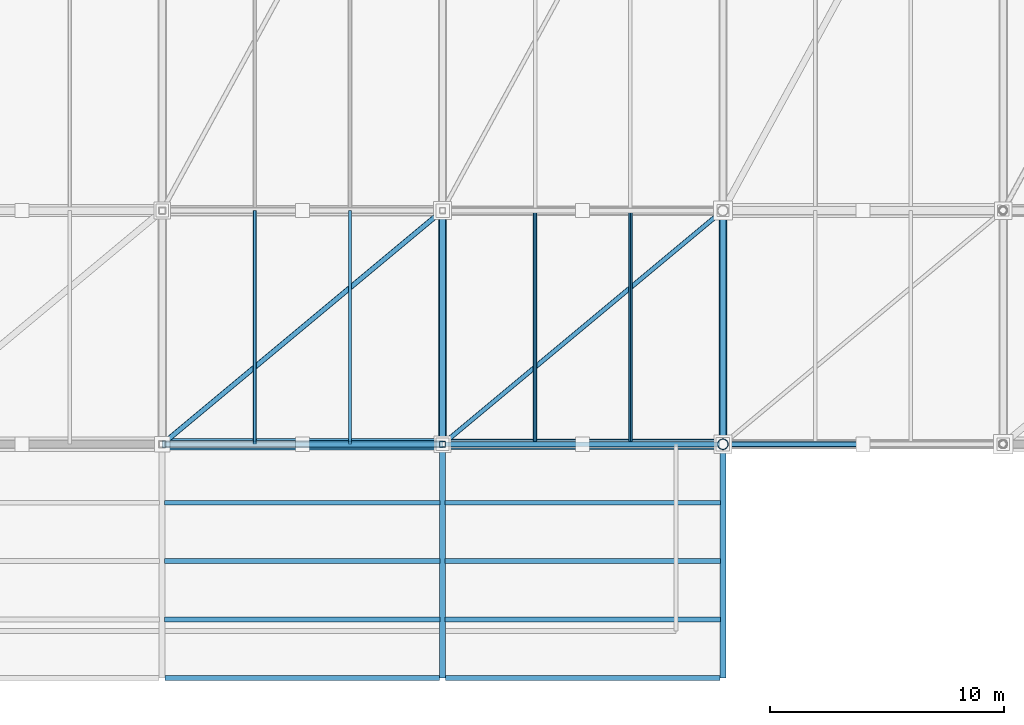
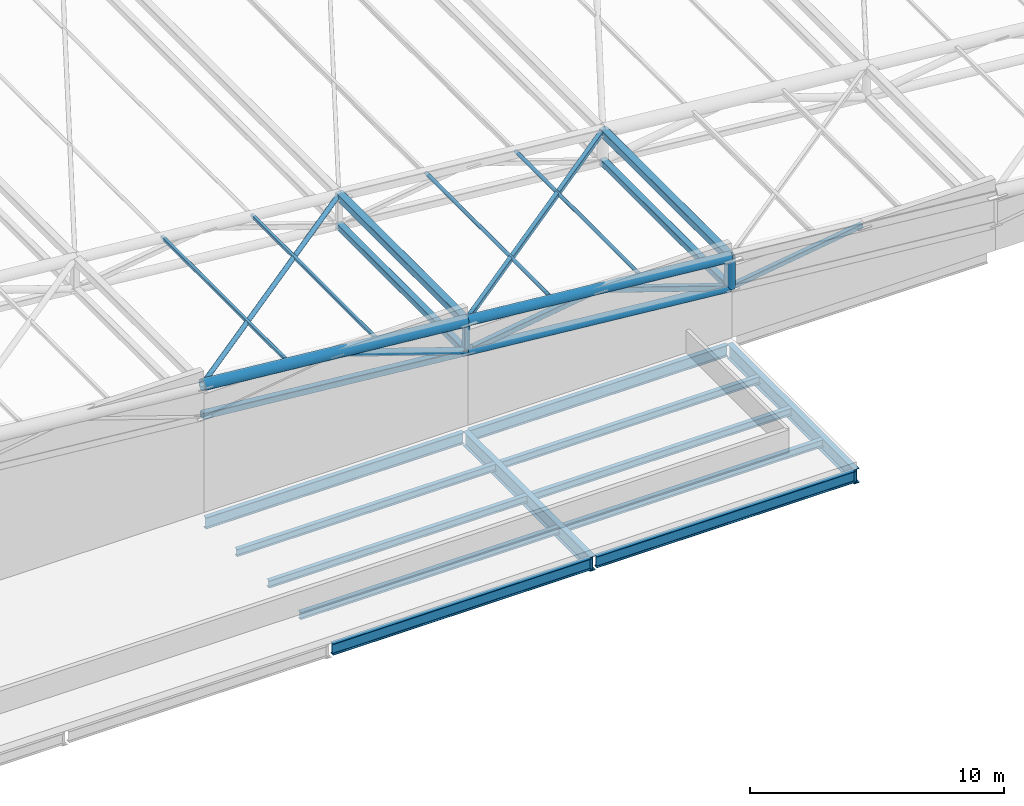
# One storey, part 17 of 44: 20 members, 12 beams.
"""IFC4 building model written with IfcOpenShell, lengths in metres."""

from ifc_helpers import new_model, si_unit, direction, frame, origin, origin_2d, place, context, subcontext, project, spatial, hollow_rectangle, hollow_circle, i_section, extrude, material, material_profile, profile_set, type_object, element, save


model = new_model("IFC4")

# Units and contexts
model_context = context("Model", 3, precision=1e-05, world=origin(), true_north=direction((0.0, 1.0)))
body_context = subcontext(model_context, "Body", "Model", "MODEL_VIEW")
ifc_project = project(units=[si_unit("LENGTHUNIT", "METRE"), si_unit("AREAUNIT", "SQUARE_METRE"), si_unit("VOLUMEUNIT", "CUBIC_METRE"), si_unit("PLANEANGLEUNIT", "RADIAN"), si_unit("MASSUNIT", "GRAM", prefix="KILO")], contexts=[model_context])

# Site, building, storey
site_placement = place(None, origin())
site = spatial("IfcSite", under=ifc_project, at=site_placement, CompositionType="ELEMENT")
building_placement = place(site_placement, origin())
building = spatial("IfcBuilding", under=site, at=building_placement, Name="Brinegate Civic Arena", CompositionType="ELEMENT")
storey_placement = place(building_placement, frame((0.0, 0.0, 29.39990234375)))
storey = spatial("IfcBuildingStorey", under=building, at=storey_placement, Name="RF", CompositionType="ELEMENT", Elevation=29.39990234375)

# Beams
ifc_material = material(Name="Steel S355", Category="steel")
ifc_material_profile_1 = material_profile(ifc_material, i_section(OverallWidth=0.256103515625, OverallDepth=0.693115234375, WebThickness=0.014892578125, FlangeThickness=0.02392578125, FilletRadius=0.01806640625, at=origin_2d()), Name="W690X170")
ifc_profile_set_1 = profile_set([ifc_material_profile_1], Name="Steel S355")
beam_type_1 = type_object("IfcBeamType", Name="GIRDER-W690X170", PredefinedType="BEAM", material=ifc_profile_set_1)
for number, where, z_axis, x_axis, name in (
    (1, (120.0, 0.0, -0.685791015625), (0.0, 1.0, 0.0), (-1.0, 0.0, 0.0), "Portal Roof Girder PGY-23"),
    (2, (132.0, 0.0, -0.685791015625), (0.0, 1.0, 0.0), (-1.0, 0.0, 0.0), "Portal Roof Girder PGY-24"),
):
    element("IfcBeam", number, at=place(storey_placement, frame(where, z_axis=z_axis, x_axis=x_axis)), inside=storey, type_object=beam_type_1, Name=name, PredefinedType="BEAM", context=body_context, shape_type="SweptSolid", body=[
        extrude(i_section(OverallWidth=0.256103515625, OverallDepth=0.693115234375, WebThickness=0.014892578125, FlangeThickness=0.02392578125, FilletRadius=0.01806640625, at=origin_2d()), origin(), (0.0, 0.0, 1.0), 10.0),
    ])
ifc_material_profile_2 = material_profile(ifc_material, i_section(OverallWidth=0.202880859375, OverallDepth=0.346923828125, WebThickness=0.008056640625, FlangeThickness=0.013916015625, FilletRadius=0.013916015625, at=origin_2d()), Name="W360X64")
ifc_profile_set_2 = profile_set([ifc_material_profile_2], Name="Steel S355")
beam_type_2 = type_object("IfcBeamType", Name="JOIST-W360X64", PredefinedType="JOIST", material=ifc_profile_set_2)
for number, where, z_axis, x_axis, name in (
    (3, (108.10791015625, 2.5, -0.512939453125), (1.0, 0.0, 0.0), (0.0, 1.0, 0.0), "Portal Roof Joist PJX-37"),
    (4, (108.10791015625, 5.0, -0.512939453125), (1.0, 0.0, 0.0), (0.0, 1.0, 0.0), "Portal Roof Joist PJX-38"),
    (5, (108.10791015625, 7.5, -0.512939453125), (1.0, 0.0, 0.0), (0.0, 1.0, 0.0), "Portal Roof Joist PJX-39"),
    (6, (120.10791015625, 2.5, -0.512939453125), (1.0, 0.0, 0.0), (0.0, 1.0, 0.0), "Portal Roof Joist PJX-42"),
    (7, (120.10791015625, 5.0, -0.512939453125), (1.0, 0.0, 0.0), (0.0, 1.0, 0.0), "Portal Roof Joist PJX-43"),
    (8, (120.10791015625, 7.5, -0.512939453125), (1.0, 0.0, 0.0), (0.0, 1.0, 0.0), "Portal Roof Joist PJX-44"),
):
    element("IfcBeam", number, at=place(storey_placement, frame(where, z_axis=z_axis, x_axis=x_axis)), inside=storey, type_object=beam_type_2, Name=name, PredefinedType="JOIST", context=body_context, shape_type="SweptSolid", body=[
        extrude(i_section(OverallWidth=0.202880859375, OverallDepth=0.346923828125, WebThickness=0.008056640625, FlangeThickness=0.013916015625, FilletRadius=0.013916015625, at=origin_2d()), origin(), (0.0, 0.0, 1.0), 11.7841796875),
    ])

# Members
ifc_material_profile_3 = material_profile(ifc_material, hollow_circle(Radius=0.083984375, WallThickness=0.008056640625, at=origin_2d()), Name="CHS168X8")
ifc_profile_set_3 = profile_set([ifc_material_profile_3], Name="Steel S355")
member_type_1 = type_object("IfcMemberType", Name="RF-PURLIN-CHS168", PredefinedType="PURLIN", material=ifc_profile_set_3)
for number, where, z_axis, x_axis, name in (
    (9, (123.9599609375, 10.0, 4.585205078125), (0.0, 1.0, 0.0), (-1.0, 0.0, 0.0), "Roof Purlin RFP-013"),
    (10, (128.0400390625, 10.0, 4.2021484375), (0.0, 1.0, 0.0), (-1.0, 0.0, 0.0), "Roof Purlin RFP-014"),
):
    element("IfcMember", number, at=place(storey_placement, frame(where, z_axis=z_axis, x_axis=x_axis)), inside=storey, type_object=member_type_1, Name=name, PredefinedType="PURLIN", context=body_context, shape_type="SweptSolid", body=[
        extrude(hollow_circle(Radius=0.083984375, WallThickness=0.008056640625, at=origin_2d()), origin(), (0.0, 0.0, 1.0), 10.0),
    ])
ifc_material_profile_4 = material_profile(ifc_material, hollow_rectangle(XDim=0.139892578125, YDim=0.139892578125, WallThickness=0.008056640625, InnerFilletRadius=0.008056640625, OuterFilletRadius=0.01611328125, at=origin_2d()), Name="SHS140X8")
ifc_profile_set_4 = profile_set([ifc_material_profile_4], Name="Steel S355")
member_type_2 = type_object("IfcMemberType", Name="RF-PURLIN-SHS140", PredefinedType="PURLIN", material=ifc_profile_set_4)
for number, where, z_axis, x_axis, name in (
    (11, (111.9599609375, 10.0, 5.72412109375), (0.0, 1.0, 0.0), (-1.0, 0.0, 0.0), "Roof Purlin RFP-011"),
    (12, (116.0400390625, 10.0, 5.341064453125), (0.0, 1.0, 0.0), (-1.0, 0.0, 0.0), "Roof Purlin RFP-012"),
):
    element("IfcMember", number, at=place(storey_placement, frame(where, z_axis=z_axis, x_axis=x_axis)), inside=storey, type_object=member_type_2, Name=name, PredefinedType="PURLIN", context=body_context, shape_type="SweptSolid", body=[
        extrude(hollow_rectangle(XDim=0.139892578125, YDim=0.139892578125, WallThickness=0.008056640625, InnerFilletRadius=0.008056640625, OuterFilletRadius=0.01611328125, at=origin_2d()), origin(), (0.0, 0.0, 1.0), 10.0),
    ])
ifc_material_profile_5 = material_profile(ifc_material, hollow_circle(Radius=0.109619140625, WallThickness=0.010009765625, at=origin_2d()), Name="CHS219X10")
ifc_profile_set_5 = profile_set([ifc_material_profile_5], Name="Steel S355")
member_type_3 = type_object("IfcMemberType", Name="SF-BRACE-CHS219", PredefinedType="BRACE", material=ifc_profile_set_5)
member_1_placement = place(storey_placement, frame((108.0, 10.0, 6.050048828125), z_axis=(0.766236619907, 0.638530516589, -0.071834683116), x_axis=(-0.640184399664, 0.768221279597, 0.0)))
element("IfcMember", 13, at=member_1_placement, inside=storey, type_object=member_type_3, Name="Roof Plan Diagonal Brace PL-1-6", PredefinedType="BRACE", context=body_context, shape_type="SweptSolid", body=[
    extrude(hollow_circle(Radius=0.109619140625, WallThickness=0.010009765625, at=origin_2d()), origin(), (0.0, 0.0, 1.0), 15.660888671875),
])
ifc_material_profile_6 = material_profile(ifc_material, hollow_circle(Radius=0.162109375, WallThickness=0.011962890625, at=origin_2d()), Name="CHS324X12")
ifc_profile_set_6 = profile_set([ifc_material_profile_6], Name="Steel S355")
member_type_4 = type_object("IfcMemberType", Name="SF-BRACE-CHS324", PredefinedType="BRACE", material=ifc_profile_set_6)
member_2_placement = place(storey_placement, frame((114.0, 10.0, 5.488037109375), z_axis=(0.948068139281, 0.0, -0.318067293635), x_axis=(0.0, 1.0, 0.0)))
element("IfcMember", 14, at=member_2_placement, inside=storey, type_object=member_type_4, Name="Space Frame Web Brace D2-1-6", PredefinedType="BRACE", context=body_context, shape_type="SweptSolid", body=[
    extrude(hollow_circle(Radius=0.162109375, WallThickness=0.011962890625, at=origin_2d()), origin(), (0.0, 0.0, 1.0), 6.32861328125),
])
ifc_material_profile_7 = material_profile(ifc_material, hollow_rectangle(XDim=0.199951171875, YDim=0.199951171875, WallThickness=0.010009765625, InnerFilletRadius=0.010009765625, OuterFilletRadius=0.02001953125, at=origin_2d()), Name="SHS200X10")
ifc_profile_set_7 = profile_set([ifc_material_profile_7], Name="Steel S355")
member_type_5 = type_object("IfcMemberType", Name="SF-BRACE-SHS200", PredefinedType="BRACE", material=ifc_profile_set_7)
member_3_placement = place(storey_placement, frame((120.0, 10.0, 4.925048828125), z_axis=(0.766236619907, 0.638530516589, -0.071834683116), x_axis=(-0.640184399664, 0.768221279597, 0.0)))
element("IfcMember", 15, at=member_3_placement, inside=storey, type_object=member_type_5, Name="Roof Plan Diagonal Brace PL-1-7", PredefinedType="BRACE", context=body_context, shape_type="SweptSolid", body=[
    extrude(hollow_rectangle(XDim=0.199951171875, YDim=0.199951171875, WallThickness=0.010009765625, InnerFilletRadius=0.010009765625, OuterFilletRadius=0.02001953125, at=origin_2d()), origin(), (0.0, 0.0, 1.0), 15.660888671875),
])
ifc_material_profile_8 = material_profile(ifc_material, hollow_rectangle(XDim=0.219970703125, YDim=0.219970703125, WallThickness=0.011962890625, InnerFilletRadius=0.011962890625, OuterFilletRadius=0.02392578125, at=origin_2d()), Name="SHS220X12")
ifc_profile_set_8 = profile_set([ifc_material_profile_8], Name="Steel S355")
member_type_6 = type_object("IfcMemberType", Name="SF-BRACE-SHS220", PredefinedType="BRACE", material=ifc_profile_set_8)
member_4_placement = place(storey_placement, frame((132.0, 10.0, 2.35009765625), z_axis=(0.989226142737, 0.0, 0.1463954867), x_axis=(0.0, 1.0, 0.0)))
element("IfcMember", 16, at=member_4_placement, inside=storey, type_object=member_type_6, Name="Space Frame Web Brace D1-1-8", PredefinedType="BRACE", context=body_context, shape_type="SweptSolid", body=[
    extrude(hollow_rectangle(XDim=0.219970703125, YDim=0.219970703125, WallThickness=0.011962890625, InnerFilletRadius=0.011962890625, OuterFilletRadius=0.02392578125, at=origin_2d()), origin(), (0.0, 0.0, 1.0), 6.0654296875),
])
ifc_material_profile_9 = material_profile(ifc_material, hollow_rectangle(XDim=0.25, YDim=0.25, WallThickness=0.011962890625, InnerFilletRadius=0.011962890625, OuterFilletRadius=0.02392578125, at=origin_2d()), Name="SHS250X12")
ifc_profile_set_9 = profile_set([ifc_material_profile_9], Name="Steel S355")
member_type_7 = type_object("IfcMemberType", Name="SF-BRACE-SHS250", PredefinedType="BRACE", material=ifc_profile_set_9)
member_5_placement = place(storey_placement, frame((120.0, 10.0, 3.47509765625), z_axis=(0.989226142737, 0.0, 0.1463954867), x_axis=(0.0, 1.0, 0.0)))
element("IfcMember", 17, at=member_5_placement, inside=storey, type_object=member_type_7, Name="Space Frame Web Brace D1-1-7", PredefinedType="BRACE", context=body_context, shape_type="SweptSolid", body=[
    extrude(hollow_rectangle(XDim=0.25, YDim=0.25, WallThickness=0.011962890625, InnerFilletRadius=0.011962890625, OuterFilletRadius=0.02392578125, at=origin_2d()), origin(), (0.0, 0.0, 1.0), 6.0654296875),
])
member_6_placement = place(storey_placement, frame((126.0, 10.0, 4.363037109375), z_axis=(0.948068139281, 0.0, -0.318067293635), x_axis=(0.0, 1.0, 0.0)))
element("IfcMember", 18, at=member_6_placement, inside=storey, type_object=member_type_7, Name="Space Frame Web Brace D2-1-7", PredefinedType="BRACE", context=body_context, shape_type="SweptSolid", body=[
    extrude(hollow_rectangle(XDim=0.25, YDim=0.25, WallThickness=0.011962890625, InnerFilletRadius=0.011962890625, OuterFilletRadius=0.02392578125, at=origin_2d()), origin(), (0.0, 0.0, 1.0), 6.32861328125),
])
ifc_material_profile_10 = material_profile(ifc_material, hollow_circle(Radius=0.202880859375, WallThickness=0.01611328125, at=origin_2d()), Name="CHS406X16")
ifc_profile_set_10 = profile_set([ifc_material_profile_10], Name="Steel S355")
member_type_8 = type_object("IfcMemberType", Name="SF-CHORD-CHS406", PredefinedType="CHORD", material=ifc_profile_set_10)
member_7_placement = place(storey_placement, frame((120.0, 10.0, 3.47509765625), z_axis=(0.995634226059, 0.0, -0.093340708693), x_axis=(0.0, 1.0, 0.0)))
element("IfcMember", 19, at=member_7_placement, inside=storey, type_object=member_type_8, Name="Space Frame Bottom Chord BX-1-7", PredefinedType="CHORD", context=body_context, shape_type="SweptSolid", body=[
    extrude(hollow_circle(Radius=0.202880859375, WallThickness=0.01611328125, at=origin_2d()), origin(), (0.0, 0.0, 1.0), 12.052734375),
])
ifc_material_profile_11 = material_profile(ifc_material, hollow_circle(Radius=0.228515625, WallThickness=0.01611328125, at=origin_2d()), Name="CHS457X16")
ifc_profile_set_11 = profile_set([ifc_material_profile_11], Name="Steel S355")
member_type_9 = type_object("IfcMemberType", Name="SF-CHORD-CHS457", PredefinedType="CHORD", material=ifc_profile_set_11)
member_8_placement = place(storey_placement, frame((120.0, 10.0, 4.925048828125), z_axis=(0.995634226059, 0.0, -0.093340708693), x_axis=(0.0, 1.0, 0.0)))
element("IfcMember", 20, at=member_8_placement, inside=storey, type_object=member_type_9, Name="Space Frame Top Chord TX-1-7", PredefinedType="CHORD", context=body_context, shape_type="SweptSolid", body=[
    extrude(hollow_circle(Radius=0.228515625, WallThickness=0.01611328125, at=origin_2d()), origin(), (0.0, 0.0, 1.0), 12.052734375),
])
ifc_material_profile_12 = material_profile(ifc_material, hollow_circle(Radius=0.25390625, WallThickness=0.02001953125, at=origin_2d()), Name="CHS508X20")
ifc_profile_set_12 = profile_set([ifc_material_profile_12], Name="Steel S355")
member_type_10 = type_object("IfcMemberType", Name="SF-CHORD-CHS508", PredefinedType="CHORD", material=ifc_profile_set_12)
member_9_placement = place(storey_placement, frame((108.0, 10.0, 6.050048828125), z_axis=(0.995634226059, 0.0, -0.093340708693), x_axis=(0.0, 1.0, 0.0)))
element("IfcMember", 21, at=member_9_placement, inside=storey, type_object=member_type_10, Name="Space Frame Top Chord TX-1-6", PredefinedType="CHORD", context=body_context, shape_type="SweptSolid", body=[
    extrude(hollow_circle(Radius=0.25390625, WallThickness=0.02001953125, at=origin_2d()), origin(), (0.0, 0.0, 1.0), 12.052734375),
])
ifc_material_profile_13 = material_profile(ifc_material, hollow_rectangle(XDim=0.300048828125, YDim=0.300048828125, WallThickness=0.01611328125, InnerFilletRadius=0.01611328125, OuterFilletRadius=0.031982421875, at=origin_2d()), Name="SHS300X16")
ifc_profile_set_13 = profile_set([ifc_material_profile_13], Name="Steel S355")
member_type_11 = type_object("IfcMemberType", Name="SF-CHORD-SHS300", PredefinedType="CHORD", material=ifc_profile_set_13)
member_10_placement = place(storey_placement, frame((108.0, 10.0, 4.60009765625), z_axis=(0.995634226059, 0.0, -0.093340708693), x_axis=(0.0, 1.0, 0.0)))
element("IfcMember", 22, at=member_10_placement, inside=storey, type_object=member_type_11, Name="Space Frame Bottom Chord BX-1-6", PredefinedType="CHORD", context=body_context, shape_type="SweptSolid", body=[
    extrude(hollow_rectangle(XDim=0.300048828125, YDim=0.300048828125, WallThickness=0.01611328125, InnerFilletRadius=0.01611328125, OuterFilletRadius=0.031982421875, at=origin_2d()), origin(), (0.0, 0.0, 1.0), 12.052734375),
])
for number, where, z_axis, x_axis, name in (
    (23, (120.0, 10.0, 3.47509765625), (0.0, 1.0, 0.0), (-1.0, 0.0, 0.0), "Space Frame Cross Bottom Chord BY-1-7"),
    (24, (132.0, 10.0, 2.35009765625), (0.0, 1.0, 0.0), (-1.0, 0.0, 0.0), "Space Frame Cross Bottom Chord BY-1-8"),
):
    element("IfcMember", number, at=place(storey_placement, frame(where, z_axis=z_axis, x_axis=x_axis)), inside=storey, type_object=member_type_11, Name=name, PredefinedType="CHORD", context=body_context, shape_type="SweptSolid", body=[
        extrude(hollow_rectangle(XDim=0.300048828125, YDim=0.300048828125, WallThickness=0.01611328125, InnerFilletRadius=0.01611328125, OuterFilletRadius=0.031982421875, at=origin_2d()), origin(), (0.0, 0.0, 1.0), 10.0),
    ])
ifc_material_profile_14 = material_profile(ifc_material, hollow_rectangle(XDim=0.35009765625, YDim=0.35009765625, WallThickness=0.01611328125, InnerFilletRadius=0.01611328125, OuterFilletRadius=0.031982421875, at=origin_2d()), Name="SHS350X16")
ifc_profile_set_14 = profile_set([ifc_material_profile_14], Name="Steel S355")
member_type_12 = type_object("IfcMemberType", Name="SF-CHORD-SHS350", PredefinedType="CHORD", material=ifc_profile_set_14)
for number, where, z_axis, x_axis, name in (
    (25, (120.0, 10.0, 4.925048828125), (0.0, 1.0, 0.0), (-1.0, 0.0, 0.0), "Space Frame Cross Top Chord TY-1-7"),
    (26, (132.0, 10.0, 3.800048828125), (0.0, 1.0, 0.0), (-1.0, 0.0, 0.0), "Space Frame Cross Top Chord TY-1-8"),
):
    element("IfcMember", number, at=place(storey_placement, frame(where, z_axis=z_axis, x_axis=x_axis)), inside=storey, type_object=member_type_12, Name=name, PredefinedType="CHORD", context=body_context, shape_type="SweptSolid", body=[
        extrude(hollow_rectangle(XDim=0.35009765625, YDim=0.35009765625, WallThickness=0.01611328125, InnerFilletRadius=0.01611328125, OuterFilletRadius=0.031982421875, at=origin_2d()), origin(), (0.0, 0.0, 1.0), 10.0),
    ])
ifc_material_profile_15 = material_profile(ifc_material, hollow_circle(Radius=0.228515625, WallThickness=0.01611328125, at=origin_2d()), Name="CHS457X16")
ifc_profile_set_15 = profile_set([ifc_material_profile_15], Name="Steel S355")
member_type_13 = type_object("IfcMemberType", Name="SF-STRUT-CHS457", PredefinedType="STRUT", material=ifc_profile_set_15)
member_11_placement = place(storey_placement, frame((132.0, 10.0, 2.35009765625), z_axis=(0.0, 0.0, 1.0), x_axis=(1.0, 0.0, 0.0)))
element("IfcMember", 27, at=member_11_placement, inside=storey, type_object=member_type_13, Name="Space Frame Vertical Post V-1-8", PredefinedType="STRUT", context=body_context, shape_type="SweptSolid", body=[
    extrude(hollow_circle(Radius=0.228515625, WallThickness=0.01611328125, at=origin_2d()), origin(), (0.0, 0.0, 1.0), 1.449951171875),
])
ifc_material_profile_16 = material_profile(ifc_material, hollow_rectangle(XDim=0.25, YDim=0.25, WallThickness=0.011962890625, InnerFilletRadius=0.011962890625, OuterFilletRadius=0.02392578125, at=origin_2d()), Name="SHS250X12")
ifc_profile_set_16 = profile_set([ifc_material_profile_16], Name="Steel S355")
member_type_14 = type_object("IfcMemberType", Name="SF-STRUT-SHS250", PredefinedType="STRUT", material=ifc_profile_set_16)
member_12_placement = place(storey_placement, frame((120.0, 10.0, 3.47509765625), z_axis=(0.0, 0.0, 1.0), x_axis=(1.0, 0.0, 0.0)))
element("IfcMember", 28, at=member_12_placement, inside=storey, type_object=member_type_14, Name="Space Frame Vertical Post V-1-7", PredefinedType="STRUT", context=body_context, shape_type="SweptSolid", body=[
    extrude(hollow_rectangle(XDim=0.25, YDim=0.25, WallThickness=0.011962890625, InnerFilletRadius=0.011962890625, OuterFilletRadius=0.02392578125, at=origin_2d()), origin(), (0.0, 0.0, 1.0), 1.449951171875),
])

# Beams
ifc_material_profile_17 = material_profile(ifc_material, i_section(OverallWidth=0.2119140625, OverallDepth=0.5439453125, WebThickness=0.012939453125, FlangeThickness=0.02099609375, FilletRadius=0.01611328125, at=origin_2d()), Name="W530X123")
ifc_profile_set_17 = profile_set([ifc_material_profile_17], Name="Steel S355")
beam_type_3 = type_object("IfcBeamType", Name="SPANDREL-W530X123", PredefinedType="SPANDREL", material=ifc_profile_set_17)
for number, where, z_axis, x_axis, name in (
    (29, (108.1298828125, 0.0, -0.61181640625), (1.0, 0.0, 0.0), (0.0, 1.0, 0.0), "Portal Roof Spandrel PGX-35"),
    (30, (108.1298828125, 10.0, -0.61181640625), (1.0, 0.0, 0.0), (0.0, 1.0, 0.0), "Portal Roof Spandrel PGX-36"),
    (31, (120.1298828125, 0.0, -0.61181640625), (1.0, 0.0, 0.0), (0.0, 1.0, 0.0), "Portal Roof Spandrel PGX-40"),
    (32, (120.1298828125, 10.0, -0.61181640625), (1.0, 0.0, 0.0), (0.0, 1.0, 0.0), "Portal Roof Spandrel PGX-41"),
):
    element("IfcBeam", number, at=place(storey_placement, frame(where, z_axis=z_axis, x_axis=x_axis)), inside=storey, type_object=beam_type_3, Name=name, PredefinedType="SPANDREL", context=body_context, shape_type="SweptSolid", body=[
        extrude(i_section(OverallWidth=0.2119140625, OverallDepth=0.5439453125, WebThickness=0.012939453125, FlangeThickness=0.02099609375, FilletRadius=0.01611328125, at=origin_2d()), origin(), (0.0, 0.0, 1.0), 11.740234375),
    ])

save(model, "model.ifc")
